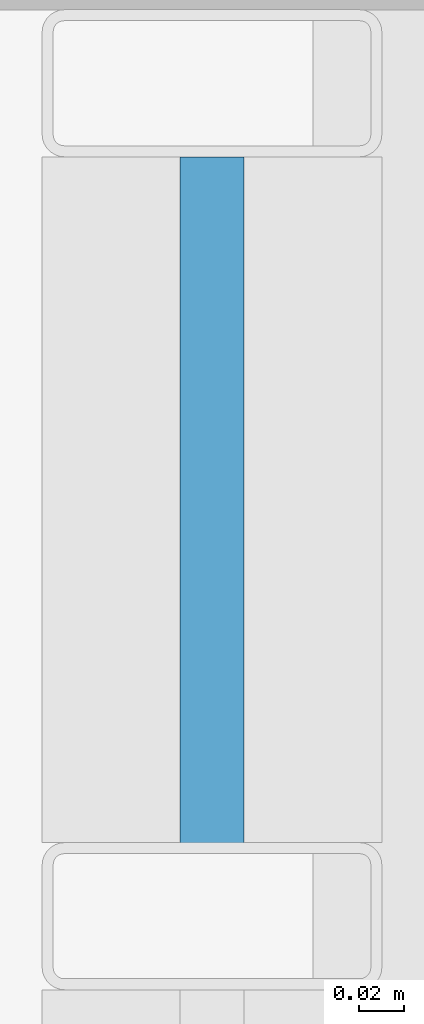
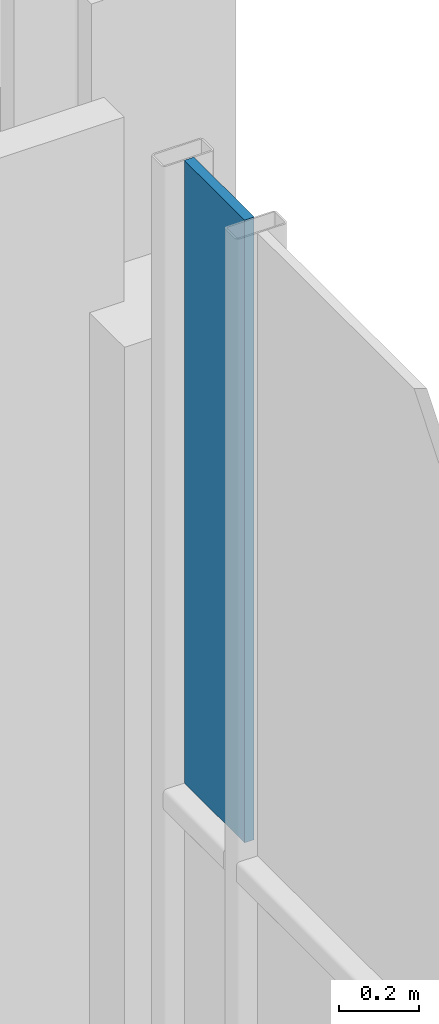
# One storey, part 28 of 41: 1 plate, 1 element without a shape of its own.
"""IFC4 building model written with IfcOpenShell, lengths in metres."""

from ifc_helpers import new_model, si_unit, direction, frame, origin, origin_2d, place, context, subcontext, project, spatial, rectangle, extrude, material, layer, layer_set, type_object, element, aggregate, save


model = new_model("IFC4")

# Units and contexts
model_context = context("Model", 3, precision=1e-05, world=origin(), true_north=direction((0.0, 1.0)))
body_context = subcontext(model_context, "Body", "Model", "MODEL_VIEW")
ifc_project = project(units=[si_unit("LENGTHUNIT", "METRE"), si_unit("AREAUNIT", "SQUARE_METRE"), si_unit("VOLUMEUNIT", "CUBIC_METRE"), si_unit("PLANEANGLEUNIT", "RADIAN"), si_unit("MASSUNIT", "GRAM", prefix="KILO")], contexts=[model_context])

# Site, building, storey
site_placement = place(None, origin())
site = spatial("IfcSite", under=ifc_project, at=site_placement, CompositionType="ELEMENT")
building_placement = place(site_placement, origin())
building = spatial("IfcBuilding", under=site, at=building_placement, Name="Brevholm Reach", CompositionType="ELEMENT")
storey_placement = place(building_placement, frame((0.0, 0.0, 93.10009765625)))
storey = spatial("IfcBuildingStorey", under=building, at=storey_placement, Name="L27", CompositionType="ELEMENT", Elevation=93.10009765625)

# Curtain wall, plate
ifc_material_1 = material(Name="Dark Anodised Aluminium 6063-T6 and Solar-Control Glass", Category="aluminium")
ifc_layer_1 = layer(ifc_material_1, 0.14990234375)
ifc_layer_set_1 = layer_set([ifc_layer_1], Name="Dark Anodised Aluminium 6063-T6 and Solar-Control Glass")
curtain_wall_type = type_object("IfcCurtainWallType", Name="CW-01", PredefinedType="NOTDEFINED", material=ifc_layer_set_1)
curtain_wall_placement = place(storey_placement, origin())
curtain_wall = element("IfcCurtainWall", 1, at=curtain_wall_placement, inside=storey, type_object=curtain_wall_type, Name="L27 Curtain Wall CW-01", PredefinedType="NOTDEFINED")
ifc_material_2 = material(Name="Dark Solar-Control Double-Glazed IGU Glass", Category="glass")
ifc_layer_2 = layer(ifc_material_2, 0.028076171875)
ifc_layer_set_2 = layer_set([ifc_layer_2], Name="Dark Solar-Control Double-Glazed IGU Glass")
plate_type = type_object("IfcPlateType", Name="CWP-GLZ-28", PredefinedType="CURTAIN_PANEL", material=ifc_layer_set_2)
plate_placement = place(storey_placement, frame((59.85009765625, 22.733642578125, 0.9326171875), z_axis=(0.0, 0.0, 1.0), x_axis=(0.0, 1.0, 0.0)))
plate = element("IfcPlate", 2, at=plate_placement, type_object=plate_type, Name="CP-01 Glazing Panel 5.2", PredefinedType="CURTAIN_PANEL", context=body_context, shape_type="SweptSolid", body=[
    extrude(rectangle(XDim=0.302490234375, YDim=0.028076171875, at=origin_2d()), origin(), (0.0, 0.0, 1.0), 1.907470703125),
])
aggregate(curtain_wall, [plate])

save(model, "model.ifc")
